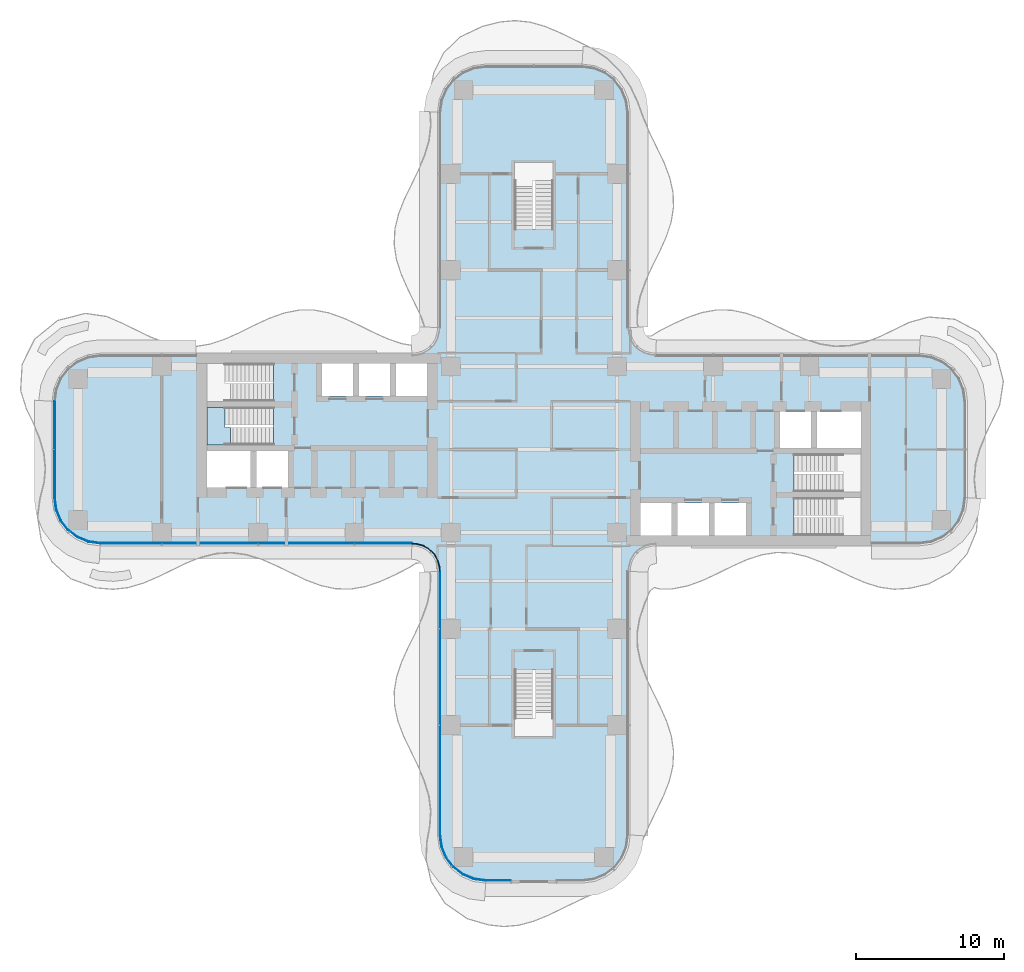
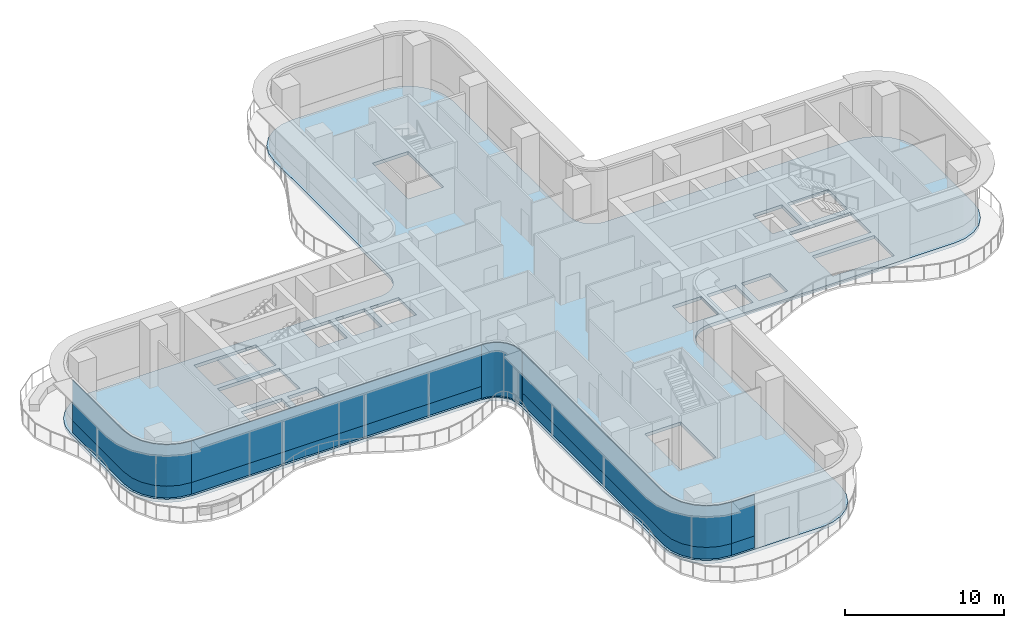
# One storey, part 13 of 21: 9 plates, 2 slabs, 6 elements without a shape of their own.
"""IFC4 building model written with IfcOpenShell, lengths in metres."""

from ifc_helpers import new_model, si_unit, direction, frame, origin, place, context, subcontext, project, spatial, polyline, outline, extrude, source, transform, mapped, material, layer, layer_set, type_object, element, aggregate, save


model = new_model("IFC4")

# Units and contexts
model_context = context("Model", 3, precision=1e-05, world=origin(), true_north=direction((0.0, 1.0)))
body_context = subcontext(model_context, "Body", "Model", "MODEL_VIEW")
ifc_project = project(units=[si_unit("LENGTHUNIT", "METRE"), si_unit("AREAUNIT", "SQUARE_METRE"), si_unit("VOLUMEUNIT", "CUBIC_METRE"), si_unit("PLANEANGLEUNIT", "RADIAN"), si_unit("MASSUNIT", "GRAM", prefix="KILO")], contexts=[model_context])

# Site, building, storey
site_placement = place(None, origin())
site = spatial("IfcSite", under=ifc_project, at=site_placement, CompositionType="ELEMENT")
building_placement = place(site_placement, origin())
building = spatial("IfcBuilding", under=site, at=building_placement, Name="Trellis Farm Tower", CompositionType="ELEMENT")
storey_placement = place(building_placement, frame((0.0, 0.0, 102.0)))
storey = spatial("IfcBuildingStorey", under=building, at=storey_placement, Name="L21", CompositionType="ELEMENT", Elevation=102.0)

# Slab
ifc_material_1 = material(Name="Concrete C40/50", Category="concrete")
ifc_layer_1 = layer(ifc_material_1, 0.25)
ifc_layer_set_1 = layer_set([ifc_layer_1], Name="Composite deck floor slab 250")
slab_type_1 = type_object("IfcSlabType", Name="Composite deck floor slab 250", PredefinedType="FLOOR", material=ifc_layer_set_1)
shared_shape_1 = source(origin(), body_context, "Body", "SweptSolid", [
    extrude(outline(polyline([(-30.09130859375, -6.389404296875), (-30.875, -6.064697265625), (-31.548095703125, -5.548095703125), (-32.064697265625, -4.875), (-32.389404296875, -4.09130859375), (-32.5, -3.25), (-32.5, 3.25), (-32.389404296875, 4.09130859375), (-32.064697265625, 4.875), (-31.548095703125, 5.548095703125), (-30.875, 6.064697265625), (-30.09130859375, 6.389404296875), (-29.25, 6.5), (-8.2314453125, 6.5), (-8.01953125, 6.513916015625), (-7.91552734375, 6.527587890625), (-7.508544921875, 6.63671875), (-7.144287109375, 6.846923828125), (-6.846923828125, 7.144287109375), (-6.63671875, 7.508544921875), (-6.527587890625, 7.91552734375), (-6.513916015625, 8.01953125), (-6.5, 8.2314453125), (-6.5, 22.75), (-6.389404296875, 23.59130859375), (-6.064697265625, 24.375), (-5.548095703125, 25.048095703125), (-4.875, 25.564697265625), (-4.09130859375, 25.889404296875), (-3.25, 26.0), (3.25, 26.0), (4.09130859375, 25.889404296875), (4.875, 25.564697265625), (5.548095703125, 25.048095703125), (6.064697265625, 24.375), (6.389404296875, 23.59130859375), (6.5, 22.75), (6.5, 8.2314453125), (6.513916015625, 8.01953125), (6.527587890625, 7.91552734375), (6.63671875, 7.508544921875), (6.846923828125, 7.144287109375), (7.144287109375, 6.846923828125), (7.508544921875, 6.63671875), (7.91552734375, 6.527587890625), (8.01953125, 6.513916015625), (8.2314453125, 6.5), (26.0, 6.5), (26.84130859375, 6.389404296875), (27.625, 6.064697265625), (28.298095703125, 5.548095703125), (28.814697265625, 4.875), (29.139404296875, 4.09130859375), (29.25, 3.25), (29.25, -3.25), (29.139404296875, -4.09130859375), (28.814697265625, -4.875), (28.298095703125, -5.548095703125), (27.625, -6.064697265625), (26.84130859375, -6.389404296875), (26.0, -6.5), (8.2314453125, -6.5), (8.01953125, -6.513916015625), (7.91552734375, -6.527587890625), (7.508544921875, -6.63671875), (7.144287109375, -6.846923828125), (6.846923828125, -7.144287109375), (6.63671875, -7.508544921875), (6.527587890625, -7.91552734375), (6.513916015625, -8.01953125), (6.5, -8.2314453125), (6.5, -26.0), (6.389404296875, -26.84130859375), (6.064697265625, -27.625), (5.548095703125, -28.298095703125), (4.875, -28.814697265625), (4.09130859375, -29.139404296875), (3.25, -29.25), (-3.25, -29.25), (-4.09130859375, -29.139404296875), (-4.875, -28.814697265625), (-5.548095703125, -28.298095703125), (-6.064697265625, -27.625), (-6.389404296875, -26.84130859375), (-6.5, -26.0), (-6.5, -8.2314453125), (-6.513916015625, -8.01953125), (-6.527587890625, -7.91552734375), (-6.63671875, -7.508544921875), (-6.846923828125, -7.144287109375), (-7.144287109375, -6.846923828125), (-7.508544921875, -6.63671875), (-7.91552734375, -6.527587890625), (-8.01953125, -6.513916015625), (-8.2314453125, -6.5), (-29.25, -6.5), (-30.09130859375, -6.389404296875)]), holes=[polyline([(-22.050048828125, -0.10009765625), (-22.050048828125, -2.550048828125), (-19.10009765625, -2.550048828125), (-19.10009765625, -0.10009765625), (-22.050048828125, -0.10009765625)]), polyline([(-18.699951171875, -0.10009765625), (-18.699951171875, -2.550048828125), (-16.60009765625, -2.550048828125), (-16.60009765625, -0.10009765625), (-18.699951171875, -0.10009765625)]), polyline([(-17.56201171875, 1.64990234375), (-17.56201171875, 2.85009765625), (-22.050048828125, 2.85009765625), (-22.050048828125, 0.300048828125), (-17.56005859375, 0.300048828125), (-17.56005859375, 1.5), (-17.550048828125, 1.5), (-17.550048828125, 1.64990234375), (-17.56201171875, 1.64990234375)]), polyline([(-17.56201171875, 4.60009765625), (-17.56201171875, 5.800048828125), (-22.050048828125, 5.800048828125), (-22.050048828125, 3.25), (-17.56005859375, 3.25), (-17.56005859375, 4.449951171875), (-17.550048828125, 4.449951171875), (-17.550048828125, 4.60009765625), (-17.56201171875, 4.60009765625)]), polyline([(-14.300048828125, 5.800048828125), (-14.300048828125, 3.60009765625), (-12.199951171875, 3.60009765625), (-12.199951171875, 5.800048828125), (-14.300048828125, 5.800048828125)]), polyline([(-11.800048828125, 5.800048828125), (-11.800048828125, 3.60009765625), (-9.699951171875, 3.60009765625), (-9.699951171875, 5.800048828125), (-11.800048828125, 5.800048828125)]), polyline([(-9.300048828125, 5.800048828125), (-9.300048828125, 3.60009765625), (-7.199951171875, 3.60009765625), (-7.199951171875, 5.800048828125), (-9.300048828125, 5.800048828125)]), polyline([(0.10009765625, 14.862060546875), (1.300048828125, 14.862060546875), (1.300048828125, 19.35009765625), (-1.300048828125, 19.35009765625), (-1.300048828125, 14.860107421875), (-0.10009765625, 14.860107421875), (-0.10009765625, 14.85009765625), (0.10009765625, 14.85009765625), (0.10009765625, 14.862060546875)]), polyline([(-0.10009765625, -14.862060546875), (-1.300048828125, -14.862060546875), (-1.300048828125, -19.35009765625), (1.300048828125, -19.35009765625), (1.300048828125, -14.860107421875), (0.10009765625, -14.860107421875), (0.10009765625, -14.85009765625), (-0.10009765625, -14.85009765625), (-0.10009765625, -14.862060546875)]), polyline([(9.300048828125, -5.800048828125), (9.300048828125, -3.60009765625), (7.199951171875, -3.60009765625), (7.199951171875, -5.800048828125), (9.300048828125, -5.800048828125)]), polyline([(11.800048828125, -5.800048828125), (11.800048828125, -3.60009765625), (9.699951171875, -3.60009765625), (9.699951171875, -5.800048828125), (11.800048828125, -5.800048828125)]), polyline([(14.300048828125, -5.800048828125), (14.300048828125, -3.60009765625), (12.199951171875, -3.60009765625), (12.199951171875, -5.800048828125), (14.300048828125, -5.800048828125)]), polyline([(17.56201171875, -4.60009765625), (17.56201171875, -5.800048828125), (22.050048828125, -5.800048828125), (22.050048828125, -3.25), (17.56005859375, -3.25), (17.56005859375, -4.449951171875), (17.550048828125, -4.449951171875), (17.550048828125, -4.60009765625), (17.56201171875, -4.60009765625)]), polyline([(17.56201171875, -1.64990234375), (17.56201171875, -2.85009765625), (22.050048828125, -2.85009765625), (22.050048828125, -0.300048828125), (17.56005859375, -0.300048828125), (17.56005859375, -1.5), (17.550048828125, -1.5), (17.550048828125, -1.64990234375), (17.56201171875, -1.64990234375)]), polyline([(18.699951171875, 0.10009765625), (18.699951171875, 2.550048828125), (16.60009765625, 2.550048828125), (16.60009765625, 0.10009765625), (18.699951171875, 0.10009765625)]), polyline([(22.050048828125, 0.10009765625), (22.050048828125, 2.550048828125), (19.10009765625, 2.550048828125), (19.10009765625, 0.10009765625), (22.050048828125, 0.10009765625)])]), origin(), (0.0, 0.0, 1.0), 0.25),
])
slab_1_placement = place(storey_placement, frame((0.0, 0.0, -0.25)))
element("IfcSlab", 1, at=slab_1_placement, inside=storey, type_object=slab_type_1, Name="Floor slab", PredefinedType="FLOOR", context=body_context, shape_type="MappedRepresentation", body=[
    mapped(shared_shape_1, transform((0.0, 0.0, 0.0))),
])

# Stair, slab
ifc_material_2 = material(Name="Concrete C50/60", Category="concrete")
stair_type = type_object("IfcStairType", Name="CORE EXIT STAIR 26 RISERS 173 MM", PredefinedType="HALF_TURN_STAIR", material=ifc_material_2)
placement_1 = place(storey_placement, origin())
stair = element("IfcStair", 2, at=placement_1, inside=storey, type_object=stair_type, Name="Exit stair W2", PredefinedType="HALF_TURN_STAIR")
ifc_layer_2 = layer(ifc_material_2, 0.18994140625)
ifc_layer_set_2 = layer_set([ifc_layer_2], Name="CORE STAIR LANDING 190 CONCRETE C50/60")
slab_type_2 = type_object("IfcSlabType", Name="CORE STAIR LANDING 190 CONCRETE C50/60", PredefinedType="LANDING", material=ifc_layer_set_2)
shared_shape_2 = source(origin(), body_context, "Body", "SweptSolid", [
    extrude(outline(polyline([(-20.453125, 1.5), (-20.453125, 0.300048828125), (-20.85009765625, 0.300048828125), (-22.050048828125, 0.300048828125), (-22.050048828125, 2.85009765625), (-20.85009765625, 2.85009765625), (-20.840087890625, 2.85009765625), (-20.840087890625, 1.64990234375), (-20.85009765625, 1.64990234375), (-20.85009765625, 1.5), (-20.453125, 1.5)])), origin(), (0.0, 0.0, 1.0), 0.18994140625),
])
slab_2_placement = place(storey_placement, frame((0.0, 0.0, 2.06005859375)))
slab_2 = element("IfcSlab", 3, at=slab_2_placement, type_object=slab_type_2, Name="STW2 landing 1", PredefinedType="LANDING", context=body_context, shape_type="MappedRepresentation", body=[
    mapped(shared_shape_2, transform((0.0, 0.0, 0.0))),
])
aggregate(stair, [slab_2])

# Curtain wall, plates
ifc_material_3 = material(Name="Aluminium and glass curtain wall", Category="aluminium")
ifc_layer_3 = layer(ifc_material_3, 0.18994140625)
ifc_layer_set_3 = layer_set([ifc_layer_3], Name="RIBBON CURTAIN WALL CW1")
curtain_wall_type_1 = type_object("IfcCurtainWallType", Name="RIBBON CURTAIN WALL CW1", PredefinedType="NOTDEFINED", material=ifc_layer_set_3)
curtain_wall_1 = element("IfcCurtainWall", 4, at=placement_1, inside=storey, type_object=curtain_wall_type_1, Name="CW1 001", PredefinedType="NOTDEFINED")
ifc_material_4 = material(Name="Clear insulated glass", Category="glass")
ifc_layer_4 = layer(ifc_material_4, 0.0400390625)
ifc_layer_set_4 = layer_set([ifc_layer_4], Name="CW1 GLASS PANEL 40")
plate_type_1 = type_object("IfcPlateType", Name="CW1 GLASS PANEL 40", PredefinedType="CURTAIN_PANEL", material=ifc_layer_set_4)
shared_shape_3 = source(origin(), body_context, "Body", "SweptSolid", [
    extrude(outline(polyline([(-29.240234375, -6.35009765625), (-8.2265625, -6.35009765625), (-8.22509765625, -6.31005859375), (-29.237548828125, -6.31005859375), (-29.240234375, -6.35009765625)])), origin(), (0.0, 0.0, 1.0), 3.170166015625),
])
placement_2 = place(storey_placement, frame((0.0, 0.0, 0.89990234375)))
plate_1 = element("IfcPlate", 5, at=placement_2, type_object=plate_type_1, Name="PL1 001", PredefinedType="CURTAIN_PANEL", context=body_context, shape_type="MappedRepresentation", body=[
    mapped(shared_shape_3, transform((0.0, 0.0, 0.0))),
])
ifc_material_5 = material(Name="Sandstone faced insulated panel", Category="masonry")
ifc_layer_5 = layer(ifc_material_5, 0.050048828125)
ifc_layer_set_5 = layer_set([ifc_layer_5], Name="CW1 STONE SPANDREL PANEL 50")
plate_type_2 = type_object("IfcPlateType", Name="CW1 STONE SPANDREL PANEL 50", PredefinedType="CURTAIN_PANEL", material=ifc_layer_set_5)
shared_shape_4 = source(origin(), body_context, "Body", "SweptSolid", [
    extrude(outline(polyline([(-29.240234375, -6.35009765625), (-8.2265625, -6.35009765625), (-8.224853515625, -6.300048828125), (-29.23681640625, -6.300048828125), (-29.240234375, -6.35009765625)])), origin(), (0.0, 0.0, 1.0), 0.89990234375),
])
plate_2 = element("IfcPlate", 6, at=placement_1, type_object=plate_type_2, Name="PS1 001", PredefinedType="CURTAIN_PANEL", context=body_context, shape_type="MappedRepresentation", body=[
    mapped(shared_shape_4, transform((0.0, 0.0, 0.0))),
])
aggregate(curtain_wall_1, [plate_1, plate_2])

# Curtain wall, plate
ifc_layer_6 = layer(ifc_material_3, 0.166015625)
ifc_layer_set_6 = layer_set([ifc_layer_6], Name="WINTER GARDEN CURTAIN WALL CW3")
curtain_wall_type_2 = type_object("IfcCurtainWallType", Name="WINTER GARDEN CURTAIN WALL CW3", PredefinedType="NOTDEFINED", material=ifc_layer_set_6)
curtain_wall_2 = element("IfcCurtainWall", 7, at=placement_1, inside=storey, type_object=curtain_wall_type_2, Name="CW3 001", PredefinedType="NOTDEFINED")
ifc_layer_7 = layer(ifc_material_4, 0.0458984375)
ifc_layer_set_7 = layer_set([ifc_layer_7], Name="CW3 GLASS PANEL 46")
plate_type_3 = type_object("IfcPlateType", Name="CW3 GLASS PANEL 46", PredefinedType="CURTAIN_PANEL", material=ifc_layer_set_7)
shared_shape_5 = source(origin(), body_context, "Body", "SweptSolid", [
    extrude(outline(polyline([(-8.2275390625, -6.3798828125), (-8.0078125, -6.394287109375), (-7.89208984375, -6.40966796875), (-7.462158203125, -6.52490234375), (-7.070556640625, -6.7509765625), (-6.7509765625, -7.070556640625), (-6.52490234375, -7.462158203125), (-6.40966796875, -7.89208984375), (-6.394287109375, -8.0078125), (-6.3798828125, -8.2275390625), (-6.333984375, -8.22607421875), (-6.3486328125, -8.003173828125), (-6.364501953125, -7.883056640625), (-6.48193359375, -7.4443359375), (-6.714111328125, -7.04248046875), (-7.04248046875, -6.714111328125), (-7.4443359375, -6.48193359375), (-7.883056640625, -6.364501953125), (-8.003173828125, -6.3486328125), (-8.22607421875, -6.333984375), (-8.2275390625, -6.3798828125)])), origin(), (0.0, 0.0, 1.0), 4.10009765625),
])
plate_3 = element("IfcPlate", 8, at=placement_1, type_object=plate_type_3, Name="PL3 001", PredefinedType="CURTAIN_PANEL", context=body_context, shape_type="MappedRepresentation", body=[
    mapped(shared_shape_5, transform((0.0, 0.0, 0.0))),
])
aggregate(curtain_wall_2, [plate_3])

# Curtain wall, plates
curtain_wall_3 = element("IfcCurtainWall", 9, at=placement_1, inside=storey, type_object=curtain_wall_type_1, Name="CW1 002", PredefinedType="NOTDEFINED")
shared_shape_6 = source(origin(), body_context, "Body", "SweptSolid", [
    extrude(outline(polyline([(-6.35009765625, -8.2265625), (-6.35009765625, -25.990234375), (-6.2431640625, -26.802001953125), (-5.93359375, -27.54931640625), (-5.441162109375, -28.191162109375), (-4.79931640625, -28.68359375), (-4.052001953125, -28.9931640625), (-3.240234375, -29.10009765625), (-3.237548828125, -29.06005859375), (-4.04150390625, -28.9541015625), (-4.779296875, -28.648681640625), (-5.41259765625, -28.16259765625), (-5.898681640625, -27.529296875), (-6.2041015625, -26.79150390625), (-6.31005859375, -25.987548828125), (-6.31005859375, -8.22509765625), (-6.35009765625, -8.2265625)])), origin(), (0.0, 0.0, 1.0), 3.170166015625),
])
plate_4 = element("IfcPlate", 10, at=placement_2, type_object=plate_type_1, Name="PL1 002", PredefinedType="CURTAIN_PANEL", context=body_context, shape_type="MappedRepresentation", body=[
    mapped(shared_shape_6, transform((0.0, 0.0, 0.0))),
])
shared_shape_7 = source(origin(), body_context, "Body", "SweptSolid", [
    extrude(outline(polyline([(-6.35009765625, -8.2265625), (-6.35009765625, -25.990234375), (-6.2431640625, -26.802001953125), (-5.93359375, -27.54931640625), (-5.441162109375, -28.191162109375), (-4.79931640625, -28.68359375), (-4.052001953125, -28.9931640625), (-3.240234375, -29.10009765625), (-3.23681640625, -29.050048828125), (-4.0390625, -28.9443359375), (-4.774169921875, -28.639892578125), (-5.405517578125, -28.155517578125), (-5.889892578125, -27.524169921875), (-6.1943359375, -26.7890625), (-6.300048828125, -25.98681640625), (-6.300048828125, -8.224853515625), (-6.35009765625, -8.2265625)])), origin(), (0.0, 0.0, 1.0), 0.89990234375),
])
plate_5 = element("IfcPlate", 11, at=placement_1, type_object=plate_type_2, Name="PS1 002", PredefinedType="CURTAIN_PANEL", context=body_context, shape_type="MappedRepresentation", body=[
    mapped(shared_shape_7, transform((0.0, 0.0, 0.0))),
])
aggregate(curtain_wall_3, [plate_4, plate_5])

curtain_wall_4 = element("IfcCurtainWall", 12, at=placement_1, inside=storey, type_object=curtain_wall_type_1, Name="CW1 013", PredefinedType="NOTDEFINED")
shared_shape_8 = source(origin(), body_context, "Body", "SweptSolid", [
    extrude(outline(polyline([(-32.35009765625, 3.240234375), (-32.35009765625, -3.240234375), (-32.2431640625, -4.052001953125), (-31.93359375, -4.79931640625), (-31.441162109375, -5.441162109375), (-30.79931640625, -5.93359375), (-30.052001953125, -6.2431640625), (-29.240234375, -6.35009765625), (-29.237548828125, -6.31005859375), (-30.04150390625, -6.2041015625), (-30.779296875, -5.898681640625), (-31.41259765625, -5.41259765625), (-31.898681640625, -4.779296875), (-32.2041015625, -4.04150390625), (-32.31005859375, -3.237548828125), (-32.31005859375, 3.237548828125), (-32.35009765625, 3.240234375)])), origin(), (0.0, 0.0, 1.0), 3.170166015625),
])
plate_6 = element("IfcPlate", 13, at=placement_2, type_object=plate_type_1, Name="PL1 013", PredefinedType="CURTAIN_PANEL", context=body_context, shape_type="MappedRepresentation", body=[
    mapped(shared_shape_8, transform((0.0, 0.0, 0.0))),
])
shared_shape_9 = source(origin(), body_context, "Body", "SweptSolid", [
    extrude(outline(polyline([(-32.35009765625, 3.240234375), (-32.35009765625, -3.240234375), (-32.2431640625, -4.052001953125), (-31.93359375, -4.79931640625), (-31.441162109375, -5.441162109375), (-30.79931640625, -5.93359375), (-30.052001953125, -6.2431640625), (-29.240234375, -6.35009765625), (-29.23681640625, -6.300048828125), (-30.0390625, -6.1943359375), (-30.774169921875, -5.889892578125), (-31.405517578125, -5.405517578125), (-31.889892578125, -4.774169921875), (-32.1943359375, -4.0390625), (-32.300048828125, -3.23681640625), (-32.300048828125, 3.23681640625), (-32.35009765625, 3.240234375)])), origin(), (0.0, 0.0, 1.0), 0.89990234375),
])
plate_7 = element("IfcPlate", 14, at=placement_1, type_object=plate_type_2, Name="PS1 013", PredefinedType="CURTAIN_PANEL", context=body_context, shape_type="MappedRepresentation", body=[
    mapped(shared_shape_9, transform((0.0, 0.0, 0.0))),
])
aggregate(curtain_wall_4, [plate_6, plate_7])

curtain_wall_5 = element("IfcCurtainWall", 15, at=placement_1, inside=storey, type_object=curtain_wall_type_1, Name="CW1 003", PredefinedType="NOTDEFINED")
shared_shape_10 = source(origin(), body_context, "Body", "SweptSolid", [
    extrude(outline(polyline([(-3.240234375, -29.10009765625), (-1.56005859375, -29.10009765625), (-1.56005859375, -29.06005859375), (-3.237548828125, -29.06005859375), (-3.240234375, -29.10009765625)])), origin(), (0.0, 0.0, 1.0), 3.170166015625),
])
plate_8 = element("IfcPlate", 16, at=placement_2, type_object=plate_type_1, Name="PL1 003", PredefinedType="CURTAIN_PANEL", context=body_context, shape_type="MappedRepresentation", body=[
    mapped(shared_shape_10, transform((0.0, 0.0, 0.0))),
])
shared_shape_11 = source(origin(), body_context, "Body", "SweptSolid", [
    extrude(outline(polyline([(-3.240234375, -29.10009765625), (-1.56005859375, -29.10009765625), (-1.56005859375, -29.050048828125), (-3.23681640625, -29.050048828125), (-3.240234375, -29.10009765625)])), origin(), (0.0, 0.0, 1.0), 0.89990234375),
])
plate_9 = element("IfcPlate", 17, at=placement_1, type_object=plate_type_2, Name="PS1 003", PredefinedType="CURTAIN_PANEL", context=body_context, shape_type="MappedRepresentation", body=[
    mapped(shared_shape_11, transform((0.0, 0.0, 0.0))),
])
aggregate(curtain_wall_5, [plate_8, plate_9])

save(model, "model.ifc")
